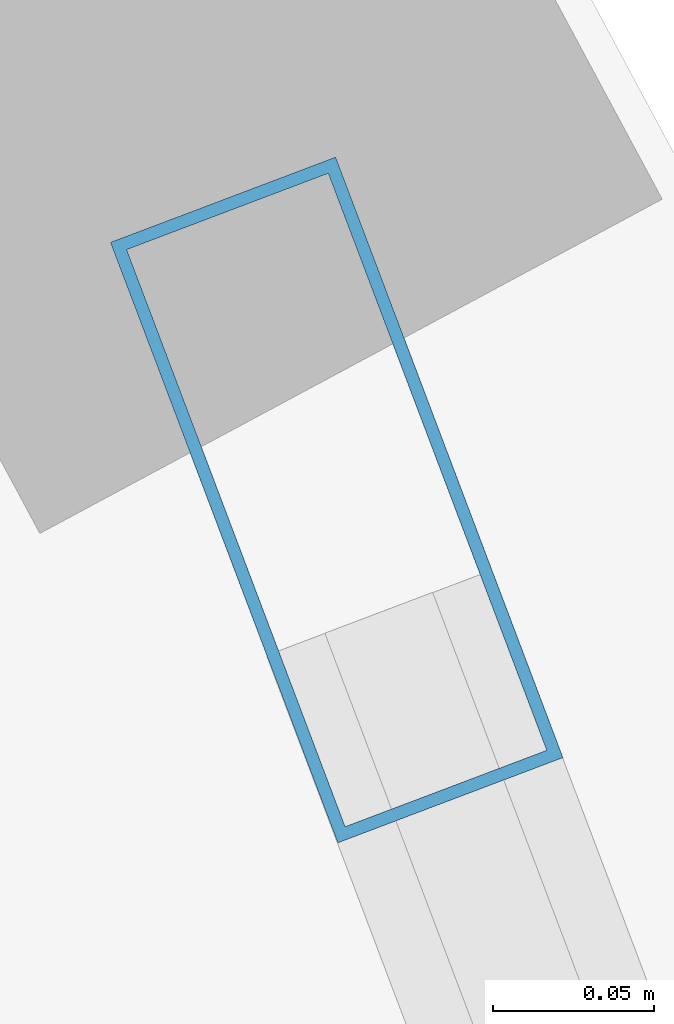
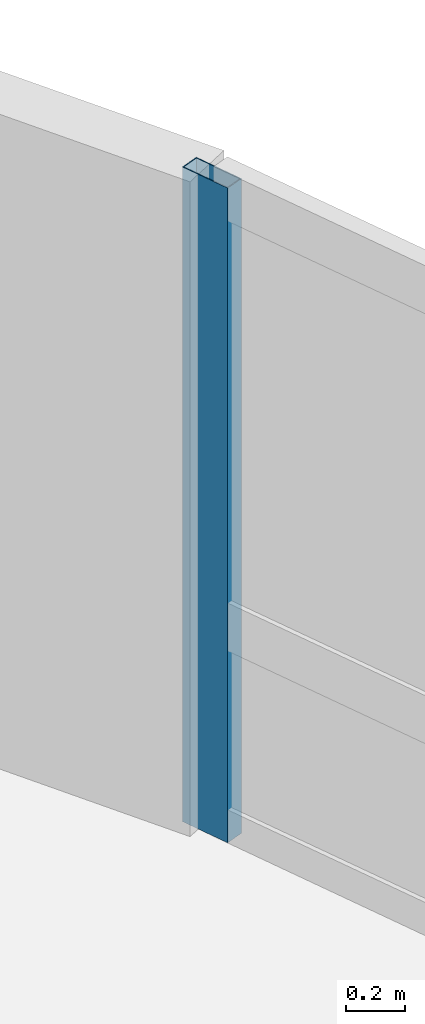
# One storey, part 10 of 20: 1 member, 1 element without a shape of its own.
"""IFC4 building model written with IfcOpenShell, lengths in metres."""

from ifc_helpers import new_model, si_unit, direction, frame, origin, origin_2d, place, context, subcontext, project, spatial, hollow_rectangle, extrude, material, layer, layer_set, material_profile, profile_set, type_object, element, aggregate, save


model = new_model("IFC4")

# Units and contexts
model_context = context("Model", 3, precision=1e-05, world=origin(), true_north=direction((0.0, 1.0)))
body_context = subcontext(model_context, "Body", "Model", "MODEL_VIEW")
ifc_project = project(units=[si_unit("LENGTHUNIT", "METRE"), si_unit("AREAUNIT", "SQUARE_METRE"), si_unit("VOLUMEUNIT", "CUBIC_METRE"), si_unit("PLANEANGLEUNIT", "RADIAN"), si_unit("MASSUNIT", "GRAM", prefix="KILO")], contexts=[model_context])

# Site, building, storey
site_placement = place(None, origin())
site = spatial("IfcSite", under=ifc_project, at=site_placement, CompositionType="ELEMENT")
building_placement = place(site_placement, origin())
building = spatial("IfcBuilding", under=site, at=building_placement, Name="Varnelok Gate Tower", CompositionType="ELEMENT")
storey_placement = place(building_placement, frame((0.0, 0.0, 223.800048828125)))
storey = spatial("IfcBuildingStorey", under=building, at=storey_placement, Name="L57", CompositionType="ELEMENT", Elevation=223.800048828125)

# Curtain wall, member
ifc_material = material(Name="Anodized Aluminum Alloy 6063-T6", Category="aluminium")
ifc_layer = layer(ifc_material, 0.179931640625)
ifc_layer_set = layer_set([ifc_layer], Name="Anodized Aluminum Alloy 6063-T6")
curtain_wall_type = type_object("IfcCurtainWallType", Name="CW4-RESIDENCE-VISION", PredefinedType="USERDEFINED", material=ifc_layer_set)
curtain_wall_placement = place(storey_placement, origin())
curtain_wall = element("IfcCurtainWall", 1, at=curtain_wall_placement, inside=storey, type_object=curtain_wall_type, Name="L57 East End Vision Curtain Wall", ObjectType="UNITISED CURTAIN WALL", PredefinedType="USERDEFINED")
ifc_material_profile = material_profile(ifc_material, hollow_rectangle(XDim=0.074951171875, YDim=0.199951171875, WallThickness=0.00390625, at=origin_2d()), Name="ALU200X75X4")
ifc_profile_set = profile_set([ifc_material_profile], Name="Anodized Aluminum Alloy 6063-T6")
member_type = type_object("IfcMemberType", Name="CW-MULL-200", PredefinedType="MULLION", material=ifc_profile_set)
member_placement = place(storey_placement, frame((64.514892578125, 51.5244140625, 0.0), z_axis=(0.0, 0.0, 1.0), x_axis=(0.935221557832, 0.354063042079, 0.0)))
member = element("IfcMember", 2, at=member_placement, type_object=member_type, Name="CW4 mullion 1", PredefinedType="MULLION", context=body_context, shape_type="SweptSolid", body=[
    extrude(hollow_rectangle(XDim=0.074951171875, YDim=0.199951171875, WallThickness=0.00390625, at=origin_2d()), origin(), (0.0, 0.0, 1.0), 2.72998046875),
])
aggregate(curtain_wall, [member])

save(model, "model.ifc")
